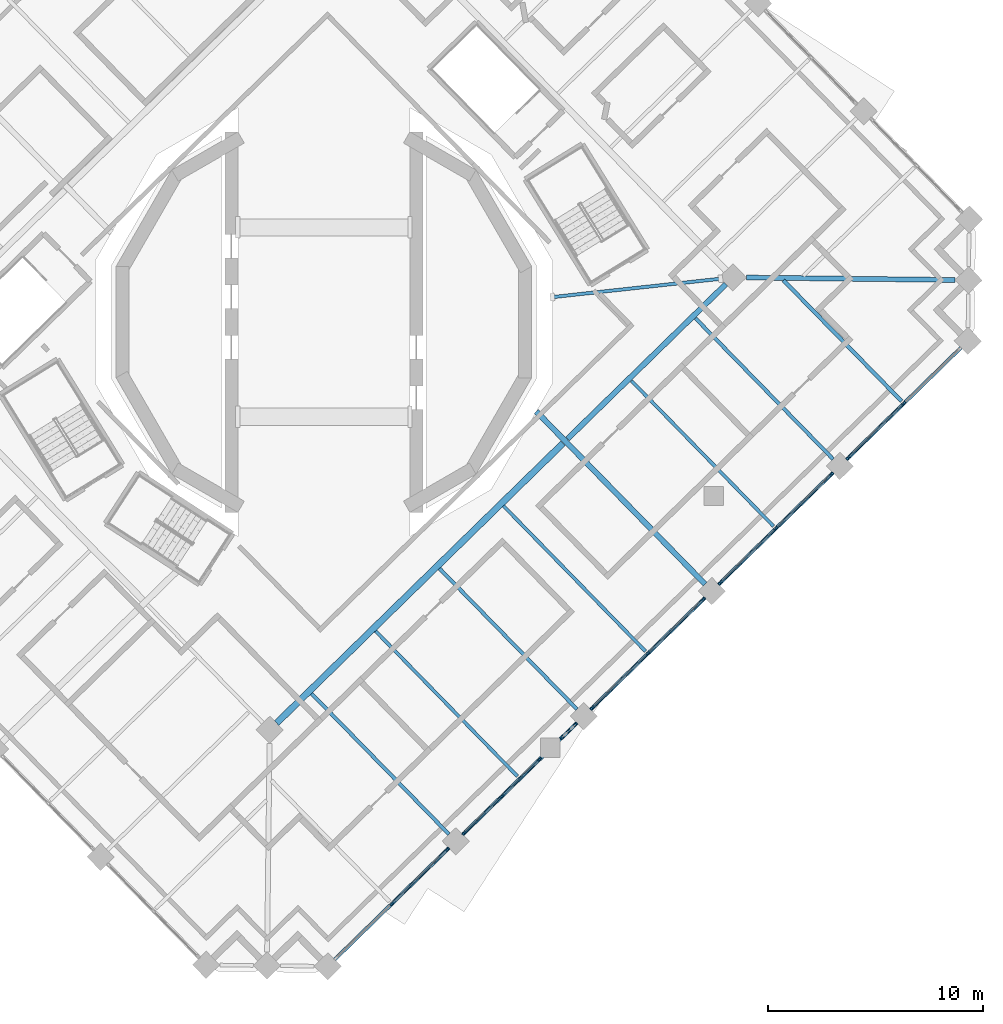
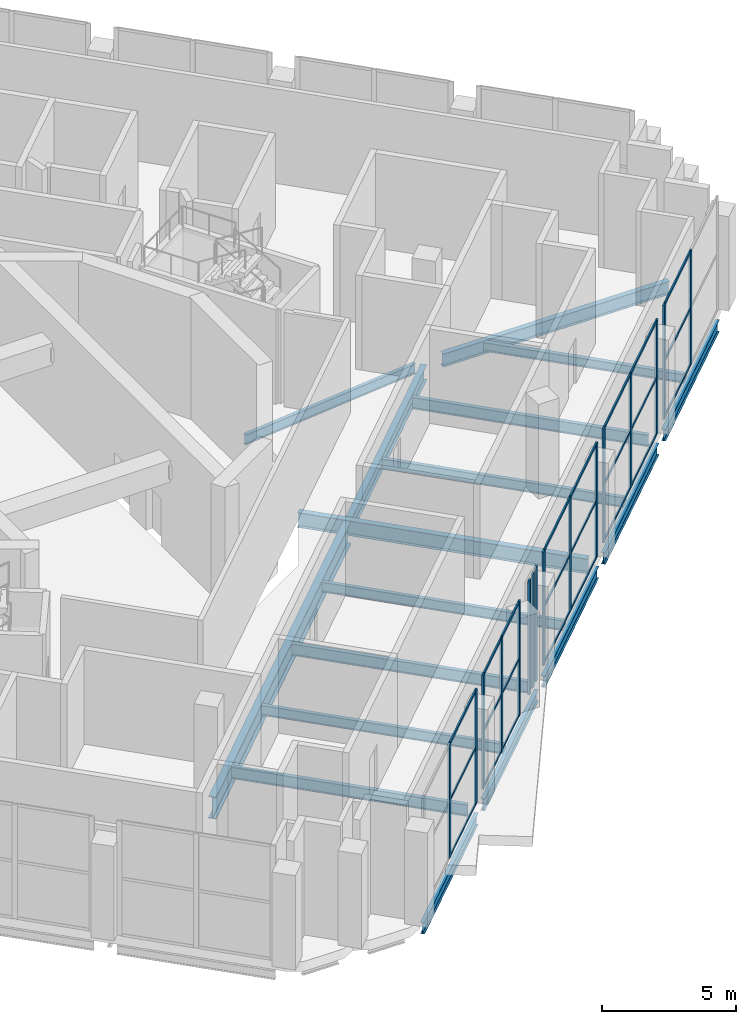
# One storey, part 4 of 20: 40 members, 17 beams, 6 elements without a shape of their own.
"""IFC4 building model written with IfcOpenShell, lengths in metres."""

from ifc_helpers import new_model, si_unit, direction, frame, origin, origin_2d, place, context, subcontext, project, spatial, rectangle, i_section, extrude, material, material_profile, profile_set, type_object, element, aggregate, save


model = new_model("IFC4")

# Units and contexts
model_context = context("Model", 3, precision=1e-05, world=origin(), true_north=direction((0.0, 1.0)))
body_context = subcontext(model_context, "Body", "Model", "MODEL_VIEW")
ifc_project = project(units=[si_unit("LENGTHUNIT", "METRE"), si_unit("AREAUNIT", "SQUARE_METRE"), si_unit("VOLUMEUNIT", "CUBIC_METRE"), si_unit("PLANEANGLEUNIT", "RADIAN"), si_unit("MASSUNIT", "GRAM", prefix="KILO")], contexts=[model_context])

# Site, building, storey
site_placement = place(None, origin())
site = spatial("IfcSite", under=ifc_project, at=site_placement, CompositionType="ELEMENT")
building_placement = place(site_placement, origin())
building = spatial("IfcBuilding", under=site, at=building_placement, Name="Cantera Rosa Tower", CompositionType="ELEMENT")
storey_placement = place(building_placement, frame((0.0, 0.0, 245.0)))
storey = spatial("IfcBuildingStorey", under=building, at=storey_placement, Name="L54", CompositionType="ELEMENT", Elevation=245.0)

# Curtain wall, members
ifc_material_1 = material(Name="Anodised aluminium louvre", Category="aluminium")
curtain_wall_type = type_object("IfcCurtainWallType", Name="CW3 REFUGE LOUVRE WALL", PredefinedType="NOTDEFINED", material=ifc_material_1)
curtain_wall_1_placement = place(storey_placement, origin())
curtain_wall_1 = element("IfcCurtainWall", 1, at=curtain_wall_1_placement, inside=storey, type_object=curtain_wall_type, Name="CW3 CW3", PredefinedType="NOTDEFINED")
ifc_material_2 = material(Name="Anodised bronze aluminium", Category="aluminium")
ifc_material_profile_1 = material_profile(ifc_material_2, rectangle(XDim=0.080078125, YDim=0.199951171875, at=origin_2d()), Name="CW-MULLION 80x200 REFUGE")
ifc_profile_set_1 = profile_set([ifc_material_profile_1], Name="Anodised bronze aluminium")
member_type_1 = type_object("IfcMemberType", Name="CW-MULLION 80x200 REFUGE", PredefinedType="MULLION", material=ifc_profile_set_1)
member_1_placement = place(storey_placement, frame((3.157470703125, -27.04296875, 0.0), z_axis=(0.0, 0.0, 1.0), x_axis=(-0.698831540301, 0.715286291131, 0.0)))
member_1 = element("IfcMember", 2, at=member_1_placement, type_object=member_type_1, Name="CW3 mullion 2", PredefinedType="MULLION", context=body_context, shape_type="SweptSolid", body=[
    extrude(rectangle(XDim=0.080078125, YDim=0.199951171875, at=origin_2d()), origin(), (0.0, 0.0, 1.0), 5.199951171875),
])
member_2_placement = place(storey_placement, frame((5.746826171875, -24.51318359375, 0.0), z_axis=(0.0, 0.0, 1.0), x_axis=(-0.698831540301, 0.715286291131, 0.0)))
member_2 = element("IfcMember", 3, at=member_2_placement, type_object=member_type_1, Name="CW3 mullion 3", PredefinedType="MULLION", context=body_context, shape_type="SweptSolid", body=[
    extrude(rectangle(XDim=0.080078125, YDim=0.199951171875, at=origin_2d()), origin(), (0.0, 0.0, 1.0), 5.199951171875),
])

curtain_wall_2_placement = place(storey_placement, origin())
curtain_wall_2 = element("IfcCurtainWall", 4, at=curtain_wall_2_placement, inside=storey, type_object=curtain_wall_type, Name="CW3 CW3", PredefinedType="NOTDEFINED")
member_3_placement = place(storey_placement, frame((6.519287109375, -23.758544921875, 0.0), z_axis=(0.0, 0.0, 1.0), x_axis=(-0.698831540376, 0.715286291058, 0.0)))
member_3 = element("IfcMember", 5, at=member_3_placement, type_object=member_type_1, Name="CW3 mullion 1", PredefinedType="MULLION", context=body_context, shape_type="SweptSolid", body=[
    extrude(rectangle(XDim=0.080078125, YDim=0.199951171875, at=origin_2d()), origin(), (0.0, 0.0, 1.0), 5.199951171875),
])
member_4_placement = place(storey_placement, frame((8.27392578125, -22.044189453125, 0.0), z_axis=(0.0, 0.0, 1.0), x_axis=(-0.698831540376, 0.715286291058, 0.0)))
member_4 = element("IfcMember", 6, at=member_4_placement, type_object=member_type_1, Name="CW3 mullion 2", PredefinedType="MULLION", context=body_context, shape_type="SweptSolid", body=[
    extrude(rectangle(XDim=0.080078125, YDim=0.199951171875, at=origin_2d()), origin(), (0.0, 0.0, 1.0), 5.199951171875),
])
member_5_placement = place(storey_placement, frame((10.028564453125, -20.330078125, 0.0), z_axis=(0.0, 0.0, 1.0), x_axis=(-0.698831540376, 0.715286291058, 0.0)))
member_5 = element("IfcMember", 7, at=member_5_placement, type_object=member_type_1, Name="CW3 mullion 3", PredefinedType="MULLION", context=body_context, shape_type="SweptSolid", body=[
    extrude(rectangle(XDim=0.080078125, YDim=0.199951171875, at=origin_2d()), origin(), (0.0, 0.0, 1.0), 5.199951171875),
])

curtain_wall_3_placement = place(storey_placement, origin())
curtain_wall_3 = element("IfcCurtainWall", 8, at=curtain_wall_3_placement, inside=storey, type_object=curtain_wall_type, Name="CW3 CW3", PredefinedType="NOTDEFINED")
member_6_placement = place(storey_placement, frame((11.067626953125, -19.314697265625, 0.0), z_axis=(0.0, 0.0, 1.0), x_axis=(-0.698831540489, 0.715286290948, 0.0)))
member_6 = element("IfcMember", 9, at=member_6_placement, type_object=member_type_1, Name="CW3 mullion 1", PredefinedType="MULLION", context=body_context, shape_type="SweptSolid", body=[
    extrude(rectangle(XDim=0.080078125, YDim=0.199951171875, at=origin_2d()), origin(), (0.0, 0.0, 1.0), 5.199951171875),
])
member_7_placement = place(storey_placement, frame((11.3828125, -19.0068359375, 0.0), z_axis=(0.0, 0.0, 1.0), x_axis=(-0.698831540489, 0.715286290948, 0.0)))
member_7 = element("IfcMember", 10, at=member_7_placement, type_object=member_type_1, Name="CW3 mullion 2", PredefinedType="MULLION", context=body_context, shape_type="SweptSolid", body=[
    extrude(rectangle(XDim=0.080078125, YDim=0.199951171875, at=origin_2d()), origin(), (0.0, 0.0, 1.0), 5.199951171875),
])
member_8_placement = place(storey_placement, frame((11.697998046875, -18.698974609375, 0.0), z_axis=(0.0, 0.0, 1.0), x_axis=(-0.698831540489, 0.715286290948, 0.0)))
member_8 = element("IfcMember", 11, at=member_8_placement, type_object=member_type_1, Name="CW3 mullion 3", PredefinedType="MULLION", context=body_context, shape_type="SweptSolid", body=[
    extrude(rectangle(XDim=0.080078125, YDim=0.199951171875, at=origin_2d()), origin(), (0.0, 0.0, 1.0), 5.199951171875),
])
aggregate(curtain_wall_3, [member_6, member_7, member_8])

curtain_wall_4_placement = place(storey_placement, origin())
curtain_wall_4 = element("IfcCurtainWall", 12, at=curtain_wall_4_placement, inside=storey, type_object=curtain_wall_type, Name="CW3 CW3", PredefinedType="NOTDEFINED")
member_9_placement = place(storey_placement, frame((12.470458984375, -17.944091796875, 0.0), z_axis=(0.0, 0.0, 1.0), x_axis=(-0.698831540376, 0.715286291058, 0.0)))
member_9 = element("IfcMember", 13, at=member_9_placement, type_object=member_type_1, Name="CW3 mullion 1", PredefinedType="MULLION", context=body_context, shape_type="SweptSolid", body=[
    extrude(rectangle(XDim=0.080078125, YDim=0.199951171875, at=origin_2d()), origin(), (0.0, 0.0, 1.0), 5.199951171875),
])
member_10_placement = place(storey_placement, frame((15.059814453125, -15.414306640625, 0.0), z_axis=(0.0, 0.0, 1.0), x_axis=(-0.698831540376, 0.715286291058, 0.0)))
member_10 = element("IfcMember", 14, at=member_10_placement, type_object=member_type_1, Name="CW3 mullion 2", PredefinedType="MULLION", context=body_context, shape_type="SweptSolid", body=[
    extrude(rectangle(XDim=0.080078125, YDim=0.199951171875, at=origin_2d()), origin(), (0.0, 0.0, 1.0), 5.199951171875),
])
member_11_placement = place(storey_placement, frame((17.649169921875, -12.884765625, 0.0), z_axis=(0.0, 0.0, 1.0), x_axis=(-0.698831540376, 0.715286291058, 0.0)))
member_11 = element("IfcMember", 15, at=member_11_placement, type_object=member_type_1, Name="CW3 mullion 3", PredefinedType="MULLION", context=body_context, shape_type="SweptSolid", body=[
    extrude(rectangle(XDim=0.080078125, YDim=0.199951171875, at=origin_2d()), origin(), (0.0, 0.0, 1.0), 5.199951171875),
])

curtain_wall_5_placement = place(storey_placement, origin())
curtain_wall_5 = element("IfcCurtainWall", 16, at=curtain_wall_5_placement, inside=storey, type_object=curtain_wall_type, Name="CW3 CW3", PredefinedType="NOTDEFINED")
member_12_placement = place(storey_placement, frame((18.421630859375, -12.1298828125, 0.0), z_axis=(0.0, 0.0, 1.0), x_axis=(-0.698831540301, 0.715286291131, 0.0)))
member_12 = element("IfcMember", 17, at=member_12_placement, type_object=member_type_1, Name="CW3 mullion 1", PredefinedType="MULLION", context=body_context, shape_type="SweptSolid", body=[
    extrude(rectangle(XDim=0.080078125, YDim=0.199951171875, at=origin_2d()), origin(), (0.0, 0.0, 1.0), 5.199951171875),
])
member_13_placement = place(storey_placement, frame((21.010986328125, -9.60009765625, 0.0), z_axis=(0.0, 0.0, 1.0), x_axis=(-0.698831540301, 0.715286291131, 0.0)))
member_13 = element("IfcMember", 18, at=member_13_placement, type_object=member_type_1, Name="CW3 mullion 2", PredefinedType="MULLION", context=body_context, shape_type="SweptSolid", body=[
    extrude(rectangle(XDim=0.080078125, YDim=0.199951171875, at=origin_2d()), origin(), (0.0, 0.0, 1.0), 5.199951171875),
])
member_14_placement = place(storey_placement, frame((23.600341796875, -7.0703125, 0.0), z_axis=(0.0, 0.0, 1.0), x_axis=(-0.698831540301, 0.715286291131, 0.0)))
member_14 = element("IfcMember", 19, at=member_14_placement, type_object=member_type_1, Name="CW3 mullion 3", PredefinedType="MULLION", context=body_context, shape_type="SweptSolid", body=[
    extrude(rectangle(XDim=0.080078125, YDim=0.199951171875, at=origin_2d()), origin(), (0.0, 0.0, 1.0), 5.199951171875),
])

curtain_wall_6_placement = place(storey_placement, origin())
curtain_wall_6 = element("IfcCurtainWall", 20, at=curtain_wall_6_placement, inside=storey, type_object=curtain_wall_type, Name="CW3 CW3", PredefinedType="NOTDEFINED")
member_15_placement = place(storey_placement, frame((24.372802734375, -6.315673828125, 0.0), z_axis=(0.0, 0.0, 1.0), x_axis=(-0.698831540439, 0.715286290997, 0.0)))
member_15 = element("IfcMember", 21, at=member_15_placement, type_object=member_type_1, Name="CW3 mullion 1", PredefinedType="MULLION", context=body_context, shape_type="SweptSolid", body=[
    extrude(rectangle(XDim=0.080078125, YDim=0.199951171875, at=origin_2d()), origin(), (0.0, 0.0, 1.0), 5.199951171875),
])
member_16_placement = place(storey_placement, frame((26.962158203125, -3.785888671875, 0.0), z_axis=(0.0, 0.0, 1.0), x_axis=(-0.698831540439, 0.715286290997, 0.0)))
member_16 = element("IfcMember", 22, at=member_16_placement, type_object=member_type_1, Name="CW3 mullion 2", PredefinedType="MULLION", context=body_context, shape_type="SweptSolid", body=[
    extrude(rectangle(XDim=0.080078125, YDim=0.199951171875, at=origin_2d()), origin(), (0.0, 0.0, 1.0), 5.199951171875),
])

# Member
ifc_material_3 = material(Name="Anodised bronze aluminium", Category="aluminium")
ifc_material_profile_2 = material_profile(ifc_material_3, rectangle(XDim=0.06005859375, YDim=0.1201171875, at=origin_2d()), Name="CW-TRANSOM 60x120 REFUGE")
ifc_profile_set_2 = profile_set([ifc_material_profile_2], Name="Anodised bronze aluminium")
member_type_2 = type_object("IfcMemberType", Name="CW-TRANSOM 60x120 REFUGE", PredefinedType="USERDEFINED", material=ifc_profile_set_2)
member_17_placement = place(storey_placement, frame((3.18603515625, -27.01513671875, 0.030029296875), z_axis=(0.715300014303, 0.698817493727, 0.0), x_axis=(-0.698817493727, 0.715300014303, 0.0)))
member_17 = element("IfcMember", 23, at=member_17_placement, type_object=member_type_2, Name="CW3 transom 2.1", ObjectType="TRANSOM", PredefinedType="USERDEFINED", context=body_context, shape_type="SweptSolid", body=[
    extrude(rectangle(XDim=0.06005859375, YDim=0.1201171875, at=origin_2d()), origin(), (0.0, 0.0, 1.0), 3.5400390625),
])

member_18_placement = place(storey_placement, frame((3.18603515625, -27.01513671875, 2.60009765625), z_axis=(0.715300014303, 0.698817493727, 0.0), x_axis=(-0.698817493727, 0.715300014303, 0.0)))
member_18 = element("IfcMember", 24, at=member_18_placement, type_object=member_type_2, Name="CW3 transom 2.2", ObjectType="TRANSOM", PredefinedType="USERDEFINED", context=body_context, shape_type="SweptSolid", body=[
    extrude(rectangle(XDim=0.06005859375, YDim=0.1201171875, at=origin_2d()), origin(), (0.0, 0.0, 1.0), 3.5400390625),
])

member_19_placement = place(storey_placement, frame((3.18603515625, -27.01513671875, 5.169921875), z_axis=(0.715300014303, 0.698817493727, 0.0), x_axis=(-0.698817493727, 0.715300014303, 0.0)))
member_19 = element("IfcMember", 25, at=member_19_placement, type_object=member_type_2, Name="CW3 transom 2.3", ObjectType="TRANSOM", PredefinedType="USERDEFINED", context=body_context, shape_type="SweptSolid", body=[
    extrude(rectangle(XDim=0.06005859375, YDim=0.1201171875, at=origin_2d()), origin(), (0.0, 0.0, 1.0), 3.5400390625),
])

aggregate(curtain_wall_1, [member_1, member_2, member_17, member_18, member_19])

member_20_placement = place(storey_placement, frame((6.5478515625, -23.73046875, 0.030029296875), z_axis=(0.715340299038, 0.698776256446, 0.0), x_axis=(-0.698776256446, 0.715340299038, 0.0)))
member_20 = element("IfcMember", 26, at=member_20_placement, type_object=member_type_2, Name="CW3 transom 1.1", ObjectType="TRANSOM", PredefinedType="USERDEFINED", context=body_context, shape_type="SweptSolid", body=[
    extrude(rectangle(XDim=0.06005859375, YDim=0.1201171875, at=origin_2d()), origin(), (0.0, 0.0, 1.0), 2.373046875),
])

member_21_placement = place(storey_placement, frame((6.5478515625, -23.73046875, 2.60009765625), z_axis=(0.715340299038, 0.698776256446, 0.0), x_axis=(-0.698776256446, 0.715340299038, 0.0)))
member_21 = element("IfcMember", 27, at=member_21_placement, type_object=member_type_2, Name="CW3 transom 1.2", ObjectType="TRANSOM", PredefinedType="USERDEFINED", context=body_context, shape_type="SweptSolid", body=[
    extrude(rectangle(XDim=0.06005859375, YDim=0.1201171875, at=origin_2d()), origin(), (0.0, 0.0, 1.0), 2.373046875),
])

member_22_placement = place(storey_placement, frame((6.5478515625, -23.73046875, 5.169921875), z_axis=(0.715340299038, 0.698776256446, 0.0), x_axis=(-0.698776256446, 0.715340299038, 0.0)))
member_22 = element("IfcMember", 28, at=member_22_placement, type_object=member_type_2, Name="CW3 transom 1.3", ObjectType="TRANSOM", PredefinedType="USERDEFINED", context=body_context, shape_type="SweptSolid", body=[
    extrude(rectangle(XDim=0.06005859375, YDim=0.1201171875, at=origin_2d()), origin(), (0.0, 0.0, 1.0), 2.373046875),
])

member_23_placement = place(storey_placement, frame((8.302490234375, -22.016357421875, 0.030029296875), z_axis=(0.715288873786, 0.698828896825, 0.0), x_axis=(-0.698828896825, 0.715288873786, 0.0)))
member_23 = element("IfcMember", 29, at=member_23_placement, type_object=member_type_2, Name="CW3 transom 2.1", ObjectType="TRANSOM", PredefinedType="USERDEFINED", context=body_context, shape_type="SweptSolid", body=[
    extrude(rectangle(XDim=0.06005859375, YDim=0.1201171875, at=origin_2d()), origin(), (0.0, 0.0, 1.0), 2.373291015625),
])

member_24_placement = place(storey_placement, frame((8.302490234375, -22.016357421875, 2.60009765625), z_axis=(0.715288873786, 0.698828896825, 0.0), x_axis=(-0.698828896825, 0.715288873786, 0.0)))
member_24 = element("IfcMember", 30, at=member_24_placement, type_object=member_type_2, Name="CW3 transom 2.2", ObjectType="TRANSOM", PredefinedType="USERDEFINED", context=body_context, shape_type="SweptSolid", body=[
    extrude(rectangle(XDim=0.06005859375, YDim=0.1201171875, at=origin_2d()), origin(), (0.0, 0.0, 1.0), 2.373291015625),
])

member_25_placement = place(storey_placement, frame((8.302490234375, -22.016357421875, 5.169921875), z_axis=(0.715288873786, 0.698828896825, 0.0), x_axis=(-0.698828896825, 0.715288873786, 0.0)))
member_25 = element("IfcMember", 31, at=member_25_placement, type_object=member_type_2, Name="CW3 transom 2.3", ObjectType="TRANSOM", PredefinedType="USERDEFINED", context=body_context, shape_type="SweptSolid", body=[
    extrude(rectangle(XDim=0.06005859375, YDim=0.1201171875, at=origin_2d()), origin(), (0.0, 0.0, 1.0), 2.373291015625),
])

aggregate(curtain_wall_2, [member_3, member_4, member_5, member_20, member_21, member_22, member_23, member_24, member_25])

member_26_placement = place(storey_placement, frame((12.4990234375, -17.916259765625, 0.030029296875), z_axis=(0.715300014303, 0.698817493727, 0.0), x_axis=(-0.698817493727, 0.715300014303, 0.0)))
member_26 = element("IfcMember", 32, at=member_26_placement, type_object=member_type_2, Name="CW3 transom 1.1", ObjectType="TRANSOM", PredefinedType="USERDEFINED", context=body_context, shape_type="SweptSolid", body=[
    extrude(rectangle(XDim=0.06005859375, YDim=0.1201171875, at=origin_2d()), origin(), (0.0, 0.0, 1.0), 3.5400390625),
])

member_27_placement = place(storey_placement, frame((12.4990234375, -17.916259765625, 2.60009765625), z_axis=(0.715300014303, 0.698817493727, 0.0), x_axis=(-0.698817493727, 0.715300014303, 0.0)))
member_27 = element("IfcMember", 33, at=member_27_placement, type_object=member_type_2, Name="CW3 transom 1.2", ObjectType="TRANSOM", PredefinedType="USERDEFINED", context=body_context, shape_type="SweptSolid", body=[
    extrude(rectangle(XDim=0.06005859375, YDim=0.1201171875, at=origin_2d()), origin(), (0.0, 0.0, 1.0), 3.5400390625),
])

member_28_placement = place(storey_placement, frame((12.4990234375, -17.916259765625, 5.169921875), z_axis=(0.715300014303, 0.698817493727, 0.0), x_axis=(-0.698817493727, 0.715300014303, 0.0)))
member_28 = element("IfcMember", 34, at=member_28_placement, type_object=member_type_2, Name="CW3 transom 1.3", ObjectType="TRANSOM", PredefinedType="USERDEFINED", context=body_context, shape_type="SweptSolid", body=[
    extrude(rectangle(XDim=0.06005859375, YDim=0.1201171875, at=origin_2d()), origin(), (0.0, 0.0, 1.0), 3.5400390625),
])

member_29_placement = place(storey_placement, frame((15.08837890625, -15.386474609375, 0.030029296875), z_axis=(0.715300014303, 0.698817493727, 0.0), x_axis=(-0.698817493727, 0.715300014303, 0.0)))
member_29 = element("IfcMember", 35, at=member_29_placement, type_object=member_type_2, Name="CW3 transom 2.1", ObjectType="TRANSOM", PredefinedType="USERDEFINED", context=body_context, shape_type="SweptSolid", body=[
    extrude(rectangle(XDim=0.06005859375, YDim=0.1201171875, at=origin_2d()), origin(), (0.0, 0.0, 1.0), 3.5400390625),
])

member_30_placement = place(storey_placement, frame((15.08837890625, -15.386474609375, 2.60009765625), z_axis=(0.715300014303, 0.698817493727, 0.0), x_axis=(-0.698817493727, 0.715300014303, 0.0)))
member_30 = element("IfcMember", 36, at=member_30_placement, type_object=member_type_2, Name="CW3 transom 2.2", ObjectType="TRANSOM", PredefinedType="USERDEFINED", context=body_context, shape_type="SweptSolid", body=[
    extrude(rectangle(XDim=0.06005859375, YDim=0.1201171875, at=origin_2d()), origin(), (0.0, 0.0, 1.0), 3.5400390625),
])

member_31_placement = place(storey_placement, frame((15.08837890625, -15.386474609375, 5.169921875), z_axis=(0.715300014303, 0.698817493727, 0.0), x_axis=(-0.698817493727, 0.715300014303, 0.0)))
member_31 = element("IfcMember", 37, at=member_31_placement, type_object=member_type_2, Name="CW3 transom 2.3", ObjectType="TRANSOM", PredefinedType="USERDEFINED", context=body_context, shape_type="SweptSolid", body=[
    extrude(rectangle(XDim=0.06005859375, YDim=0.1201171875, at=origin_2d()), origin(), (0.0, 0.0, 1.0), 3.5400390625),
])

aggregate(curtain_wall_4, [member_9, member_10, member_11, member_26, member_27, member_28, member_29, member_30, member_31])

member_32_placement = place(storey_placement, frame((18.4501953125, -12.10205078125, 0.030029296875), z_axis=(0.715300014303, 0.698817493727, 0.0), x_axis=(-0.698817493727, 0.715300014303, 0.0)))
member_32 = element("IfcMember", 38, at=member_32_placement, type_object=member_type_2, Name="CW3 transom 1.1", ObjectType="TRANSOM", PredefinedType="USERDEFINED", context=body_context, shape_type="SweptSolid", body=[
    extrude(rectangle(XDim=0.06005859375, YDim=0.1201171875, at=origin_2d()), origin(), (0.0, 0.0, 1.0), 3.5400390625),
])

member_33_placement = place(storey_placement, frame((18.4501953125, -12.10205078125, 2.60009765625), z_axis=(0.715300014303, 0.698817493727, 0.0), x_axis=(-0.698817493727, 0.715300014303, 0.0)))
member_33 = element("IfcMember", 39, at=member_33_placement, type_object=member_type_2, Name="CW3 transom 1.2", ObjectType="TRANSOM", PredefinedType="USERDEFINED", context=body_context, shape_type="SweptSolid", body=[
    extrude(rectangle(XDim=0.06005859375, YDim=0.1201171875, at=origin_2d()), origin(), (0.0, 0.0, 1.0), 3.5400390625),
])

member_34_placement = place(storey_placement, frame((18.4501953125, -12.10205078125, 5.169921875), z_axis=(0.715300014303, 0.698817493727, 0.0), x_axis=(-0.698817493727, 0.715300014303, 0.0)))
member_34 = element("IfcMember", 40, at=member_34_placement, type_object=member_type_2, Name="CW3 transom 1.3", ObjectType="TRANSOM", PredefinedType="USERDEFINED", context=body_context, shape_type="SweptSolid", body=[
    extrude(rectangle(XDim=0.06005859375, YDim=0.1201171875, at=origin_2d()), origin(), (0.0, 0.0, 1.0), 3.5400390625),
])

member_35_placement = place(storey_placement, frame((21.03955078125, -9.572265625, 0.030029296875), z_axis=(0.715300014303, 0.698817493727, 0.0), x_axis=(-0.698817493727, 0.715300014303, 0.0)))
member_35 = element("IfcMember", 41, at=member_35_placement, type_object=member_type_2, Name="CW3 transom 2.1", ObjectType="TRANSOM", PredefinedType="USERDEFINED", context=body_context, shape_type="SweptSolid", body=[
    extrude(rectangle(XDim=0.06005859375, YDim=0.1201171875, at=origin_2d()), origin(), (0.0, 0.0, 1.0), 3.5400390625),
])

member_36_placement = place(storey_placement, frame((21.03955078125, -9.572265625, 2.60009765625), z_axis=(0.715300014303, 0.698817493727, 0.0), x_axis=(-0.698817493727, 0.715300014303, 0.0)))
member_36 = element("IfcMember", 42, at=member_36_placement, type_object=member_type_2, Name="CW3 transom 2.2", ObjectType="TRANSOM", PredefinedType="USERDEFINED", context=body_context, shape_type="SweptSolid", body=[
    extrude(rectangle(XDim=0.06005859375, YDim=0.1201171875, at=origin_2d()), origin(), (0.0, 0.0, 1.0), 3.5400390625),
])

member_37_placement = place(storey_placement, frame((21.03955078125, -9.572265625, 5.169921875), z_axis=(0.715300014303, 0.698817493727, 0.0), x_axis=(-0.698817493727, 0.715300014303, 0.0)))
member_37 = element("IfcMember", 43, at=member_37_placement, type_object=member_type_2, Name="CW3 transom 2.3", ObjectType="TRANSOM", PredefinedType="USERDEFINED", context=body_context, shape_type="SweptSolid", body=[
    extrude(rectangle(XDim=0.06005859375, YDim=0.1201171875, at=origin_2d()), origin(), (0.0, 0.0, 1.0), 3.5400390625),
])

aggregate(curtain_wall_5, [member_12, member_13, member_14, member_32, member_33, member_34, member_35, member_36, member_37])

member_38_placement = place(storey_placement, frame((24.4013671875, -6.28759765625, 0.030029296875), z_axis=(0.715300014303, 0.698817493727, 0.0), x_axis=(-0.698817493727, 0.715300014303, 0.0)))
member_38 = element("IfcMember", 44, at=member_38_placement, type_object=member_type_2, Name="CW3 transom 1.1", ObjectType="TRANSOM", PredefinedType="USERDEFINED", context=body_context, shape_type="SweptSolid", body=[
    extrude(rectangle(XDim=0.06005859375, YDim=0.1201171875, at=origin_2d()), origin(), (0.0, 0.0, 1.0), 3.5400390625),
])

member_39_placement = place(storey_placement, frame((24.4013671875, -6.28759765625, 2.60009765625), z_axis=(0.715300014303, 0.698817493727, 0.0), x_axis=(-0.698817493727, 0.715300014303, 0.0)))
member_39 = element("IfcMember", 45, at=member_39_placement, type_object=member_type_2, Name="CW3 transom 1.2", ObjectType="TRANSOM", PredefinedType="USERDEFINED", context=body_context, shape_type="SweptSolid", body=[
    extrude(rectangle(XDim=0.06005859375, YDim=0.1201171875, at=origin_2d()), origin(), (0.0, 0.0, 1.0), 3.5400390625),
])

member_40_placement = place(storey_placement, frame((24.4013671875, -6.28759765625, 5.169921875), z_axis=(0.715300014303, 0.698817493727, 0.0), x_axis=(-0.698817493727, 0.715300014303, 0.0)))
member_40 = element("IfcMember", 46, at=member_40_placement, type_object=member_type_2, Name="CW3 transom 1.3", ObjectType="TRANSOM", PredefinedType="USERDEFINED", context=body_context, shape_type="SweptSolid", body=[
    extrude(rectangle(XDim=0.06005859375, YDim=0.1201171875, at=origin_2d()), origin(), (0.0, 0.0, 1.0), 3.5400390625),
])

aggregate(curtain_wall_6, [member_15, member_16, member_38, member_39, member_40])

# Beams
ifc_material_4 = material(Name="Steel ASTM A992 (Fy 345 MPa)", Category="steel")
ifc_material_profile_3 = material_profile(ifc_material_4, i_section(OverallWidth=0.302001953125, OverallDepth=1.010009765625, WebThickness=0.02099609375, FlangeThickness=0.0400390625, FilletRadius=0.030029296875, at=origin_2d()), Name="W1000X350")
ifc_profile_set_3 = profile_set([ifc_material_profile_3], Name="Steel ASTM A992 (Fy 345 MPa)")
beam_type_1 = type_object("IfcBeamType", Name="STEEL BEAM W1000X350", PredefinedType="BEAM", material=ifc_profile_set_3)
beam_1_placement = place(storey_placement, frame((-2.197021484375, -18.643310546875, -0.955078125), z_axis=(0.715290925107, 0.698826797182, 0.0), x_axis=(-0.698826797182, 0.715290925107, 0.0)))
element("IfcBeam", 47, at=beam_1_placement, inside=storey, type_object=beam_type_1, Name="RB-Z4-03 L54", PredefinedType="BEAM", context=body_context, shape_type="SweptSolid", body=[
    extrude(i_section(OverallWidth=0.302001953125, OverallDepth=1.010009765625, WebThickness=0.02099609375, FlangeThickness=0.0400390625, FilletRadius=0.030029296875, at=origin_2d()), origin(), (0.0, 0.0, 1.0), 18.60986328125),
])
ifc_material_5 = material(Name="Steel ASTM A992 (Fy 345 MPa)", Category="steel")
ifc_material_profile_4 = material_profile(ifc_material_5, i_section(OverallWidth=0.154052734375, OverallDepth=0.4599609375, WebThickness=0.009033203125, FlangeThickness=0.015380859375, FilletRadius=0.01025390625, at=origin_2d()), Name="W460X68")
ifc_profile_set_4 = profile_set([ifc_material_profile_4], Name="Steel ASTM A992 (Fy 345 MPa)")
beam_type_2 = type_object("IfcBeamType", Name="STEEL BEAM W460X68", PredefinedType="BEAM", material=ifc_profile_set_4)
beam_2_placement = place(storey_placement, frame((18.44287109375, 2.014892578125, -0.679931640625), z_axis=(-0.994086100692, -0.108594771563, 0.0), x_axis=(0.108594771563, -0.994086100692, 0.0)))
element("IfcBeam", 48, at=beam_2_placement, inside=storey, type_object=beam_type_2, Name="PG-Z4-01 L54", PredefinedType="BEAM", context=body_context, shape_type="SweptSolid", body=[
    extrude(i_section(OverallWidth=0.154052734375, OverallDepth=0.4599609375, WebThickness=0.009033203125, FlangeThickness=0.015380859375, FilletRadius=0.01025390625, at=origin_2d()), origin(), (0.0, 0.0, 1.0), 7.864013671875),
])
ifc_material_6 = material(Name="Steel ASTM A992 (Fy 345 MPa)", Category="steel")
ifc_material_profile_5 = material_profile(ifc_material_6, i_section(OverallWidth=0.166015625, OverallDepth=0.528076171875, WebThickness=0.009765625, FlangeThickness=0.013671875, FilletRadius=0.0126953125, at=origin_2d()), Name="W530X74")
ifc_profile_set_5 = profile_set([ifc_material_profile_5], Name="Steel ASTM A992 (Fy 345 MPa)")
beam_type_3 = type_object("IfcBeamType", Name="STEEL BEAM W530X74", PredefinedType="BEAM", material=ifc_profile_set_5)
for number, where, z_axis, x_axis, name in (
    (49, (5.818603515625, -23.81396484375, -0.714111328125), (-0.698827481213, 0.71529025682, 0.0), (-0.71529025682, -0.698827481213, 0.0), "G-Z4-09 L54"),
    (50, (11.769775390625, -17.999755859375, -0.714111328125), (-0.698827481213, 0.71529025682, 0.0), (-0.71529025682, -0.698827481213, 0.0), "G-Z4-10 L54"),
    (51, (23.672119140625, -6.37109375, -0.714111328125), (-0.698827481213, 0.71529025682, 0.0), (-0.71529025682, -0.698827481213, 0.0), "G-Z4-12 L54"),
):
    element("IfcBeam", number, at=place(storey_placement, frame(where, z_axis=z_axis, x_axis=x_axis)), inside=storey, type_object=beam_type_3, Name=name, PredefinedType="BEAM", context=body_context, shape_type="SweptSolid", body=[
        extrude(i_section(OverallWidth=0.166015625, OverallDepth=0.528076171875, WebThickness=0.009765625, FlangeThickness=0.013671875, FilletRadius=0.0126953125, at=origin_2d()), origin(), (0.0, 0.0, 1.0), 9.14990234375),
    ])
ifc_material_7 = material(Name="Steel ASTM A992 (Fy 345 MPa)", Category="steel")
ifc_material_profile_6 = material_profile(ifc_material_7, i_section(OverallWidth=0.22802734375, OverallDepth=0.60205078125, WebThickness=0.010498046875, FlangeThickness=0.014892578125, FilletRadius=0.0126953125, at=origin_2d()), Name="W610X101")
ifc_profile_set_6 = profile_set([ifc_material_profile_6], Name="Steel ASTM A992 (Fy 345 MPa)")
beam_type_4 = type_object("IfcBeamType", Name="STEEL BEAM W610X101", PredefinedType="BEAM", material=ifc_profile_set_6)
beam_3_placement = place(storey_placement, frame((29.334228515625, 1.95703125, -0.7509765625), z_axis=(-0.999932504919, 0.011618330597, 0.0), x_axis=(-0.011618330597, -0.999932504919, 0.0)))
element("IfcBeam", 52, at=beam_3_placement, inside=storey, type_object=beam_type_4, Name="CB-Z4-04 L54", PredefinedType="BEAM", context=body_context, shape_type="SweptSolid", body=[
    extrude(i_section(OverallWidth=0.22802734375, OverallDepth=0.60205078125, WebThickness=0.010498046875, FlangeThickness=0.014892578125, FilletRadius=0.0126953125, at=origin_2d()), origin(), (0.0, 0.0, 1.0), 9.687255859375),
])
ifc_material_8 = material(Name="Steel ASTM A992 (Fy 345 MPa)", Category="steel")
ifc_material_profile_7 = material_profile(ifc_material_8, i_section(OverallWidth=0.25390625, OverallDepth=0.677978515625, WebThickness=0.01171875, FlangeThickness=0.016357421875, FilletRadius=0.01513671875, at=origin_2d()), Name="W690X125")
ifc_profile_set_7 = profile_set([ifc_material_profile_7], Name="Steel ASTM A992 (Fy 345 MPa)")
beam_type_5 = type_object("IfcBeamType", Name="STEEL BEAM W690X125", PredefinedType="BEAM", material=ifc_profile_set_7)
beam_4_placement = place(storey_placement, frame((17.720947265625, -12.185302734375, -0.7890625), z_axis=(-0.698831358516, 0.715286468734, 0.0), x_axis=(-0.715286468734, -0.698831358516, 0.0)))
element("IfcBeam", 53, at=beam_4_placement, inside=storey, type_object=beam_type_5, Name="G-Z4-11 L54", PredefinedType="BEAM", context=body_context, shape_type="SweptSolid", body=[
    extrude(i_section(OverallWidth=0.25390625, OverallDepth=0.677978515625, WebThickness=0.01171875, FlangeThickness=0.016357421875, FilletRadius=0.01513671875, at=origin_2d()), origin(), (0.0, 0.0, 1.0), 11.2314453125),
])
beam_5_placement = place(storey_placement, frame((11.3291015625, -5.428466796875, -0.7890625), z_axis=(0.715291776896, 0.698825925324, 0.0), x_axis=(-0.698825925324, 0.715291776896, 0.0)))
element("IfcBeam", 54, at=beam_5_placement, inside=storey, type_object=beam_type_5, Name="RB-Z4-04 L54", PredefinedType="BEAM", context=body_context, shape_type="SweptSolid", body=[
    extrude(i_section(OverallWidth=0.25390625, OverallDepth=0.677978515625, WebThickness=0.01171875, FlangeThickness=0.016357421875, FilletRadius=0.01513671875, at=origin_2d()), origin(), (0.0, 0.0, 1.0), 10.2900390625),
])
ifc_material_9 = material(Name="Steel ASTM A992 (Fy 345 MPa)", Category="steel")
ifc_material_profile_8 = material_profile(ifc_material_9, i_section(OverallWidth=0.177978515625, OverallDepth=0.406005859375, WebThickness=0.0078125, FlangeThickness=0.0126953125, FilletRadius=0.01025390625, at=origin_2d()), Name="W410X60")
ifc_profile_set_8 = profile_set([ifc_material_profile_8], Name="Steel ASTM A992 (Fy 345 MPa)")
beam_type_6 = type_object("IfcBeamType", Name="STEEL JOIST W410X60", PredefinedType="JOIST", material=ifc_profile_set_8)
beam_6_placement = place(storey_placement, frame((26.857421875, -3.678466796875, -0.653076171875), z_axis=(-0.698843394481, 0.715274709458, 0.0), x_axis=(-0.715274709458, -0.698843394481, 0.0)))
element("IfcBeam", 55, at=beam_6_placement, inside=storey, type_object=beam_type_6, Name="B-Z4-15 L54", PredefinedType="JOIST", context=body_context, shape_type="SweptSolid", body=[
    extrude(i_section(OverallWidth=0.177978515625, OverallDepth=0.406005859375, WebThickness=0.0078125, FlangeThickness=0.0126953125, FilletRadius=0.01025390625, at=origin_2d()), origin(), (0.0, 0.0, 1.0), 7.860107421875),
])
ifc_material_10 = material(Name="Steel ASTM A992 (Fy 345 MPa)", Category="steel")
ifc_material_profile_9 = material_profile(ifc_material_10, i_section(OverallWidth=0.154052734375, OverallDepth=0.4599609375, WebThickness=0.009033203125, FlangeThickness=0.015380859375, FilletRadius=0.01025390625, at=origin_2d()), Name="W460X68")
ifc_profile_set_9 = profile_set([ifc_material_profile_9], Name="Steel ASTM A992 (Fy 345 MPa)")
beam_type_7 = type_object("IfcBeamType", Name="STEEL JOIST W460X68", PredefinedType="JOIST", material=ifc_profile_set_9)
beam_7_placement = place(storey_placement, frame((9.00390625, -21.121337890625, -0.679931640625), z_axis=(-0.698843443844, 0.715274661229, 0.0), x_axis=(-0.715274661229, -0.698843443844, 0.0)))
element("IfcBeam", 56, at=beam_7_placement, inside=storey, type_object=beam_type_7, Name="B-Z4-12 L54", PredefinedType="JOIST", context=body_context, shape_type="SweptSolid", body=[
    extrude(i_section(OverallWidth=0.154052734375, OverallDepth=0.4599609375, WebThickness=0.009033203125, FlangeThickness=0.015380859375, FilletRadius=0.01025390625, at=origin_2d()), origin(), (0.0, 0.0, 1.0), 9.449951171875),
])
for number, where, z_axis, x_axis, name in (
    (57, (14.955078125, -15.30712890625, -0.679931640625), (-0.698830529832, 0.715287278354, 0.0), (-0.715287278354, -0.698830529832, 0.0), "B-Z4-13 L54"),
    (58, (20.90625, -9.492919921875, -0.679931640625), (-0.698830529832, 0.715287278354, 0.0), (-0.715287278354, -0.698830529832, 0.0), "B-Z4-14 L54"),
):
    element("IfcBeam", number, at=place(storey_placement, frame(where, z_axis=z_axis, x_axis=x_axis)), inside=storey, type_object=beam_type_7, Name=name, PredefinedType="JOIST", context=body_context, shape_type="SweptSolid", body=[
        extrude(i_section(OverallWidth=0.154052734375, OverallDepth=0.4599609375, WebThickness=0.009033203125, FlangeThickness=0.015380859375, FilletRadius=0.01025390625, at=origin_2d()), origin(), (0.0, 0.0, 1.0), 9.4501953125),
    ])
ifc_material_11 = material(Name="Steel ASTM A992 (Fy 345 MPa)", Category="steel")
ifc_material_profile_10 = material_profile(ifc_material_11, i_section(OverallWidth=0.166015625, OverallDepth=0.528076171875, WebThickness=0.009765625, FlangeThickness=0.013671875, FilletRadius=0.0126953125, at=origin_2d()), Name="W530X74")
ifc_profile_set_10 = profile_set([ifc_material_profile_10], Name="Steel ASTM A992 (Fy 345 MPa)")
beam_type_8 = type_object("IfcBeamType", Name="STEEL SPANDREL BEAM W530X74", PredefinedType="SPANDREL", material=ifc_profile_set_10)
beam_8_placement = place(storey_placement, frame((0.503662109375, -29.6357421875, -0.714111328125), z_axis=(0.715284379566, 0.698833496871, 0.0), x_axis=(-0.698833496871, 0.715284379566, 0.0)))
element("IfcBeam", 59, at=beam_8_placement, inside=storey, type_object=beam_type_8, Name="EB-Z4-22 L54", PredefinedType="SPANDREL", context=body_context, shape_type="SweptSolid", body=[
    extrude(i_section(OverallWidth=0.166015625, OverallDepth=0.528076171875, WebThickness=0.009765625, FlangeThickness=0.013671875, FilletRadius=0.0126953125, at=origin_2d()), origin(), (0.0, 0.0, 1.0), 7.42041015625),
])
for number, where, z_axis, x_axis, name in (
    (60, (6.454833984375, -23.8212890625, -0.714111328125), (0.715300826176, 0.698816662703, 0.0), (-0.698816662703, 0.715300826176, 0.0), "EB-Z4-23 L54"),
    (61, (12.406005859375, -18.007080078125, -0.714111328125), (0.715300826176, 0.698816662703, 0.0), (-0.698816662703, 0.715300826176, 0.0), "EB-Z4-24 L54"),
    (62, (18.357177734375, -12.19287109375, -0.714111328125), (0.715300826176, 0.698816662703, 0.0), (-0.698816662703, 0.715300826176, 0.0), "EB-Z4-25 L54"),
    (63, (24.308349609375, -6.37841796875, -0.714111328125), (0.715300826176, 0.698816662703, 0.0), (-0.698816662703, 0.715300826176, 0.0), "EB-Z4-26 L54"),
):
    element("IfcBeam", number, at=place(storey_placement, frame(where, z_axis=z_axis, x_axis=x_axis)), inside=storey, type_object=beam_type_8, Name=name, PredefinedType="SPANDREL", context=body_context, shape_type="SweptSolid", body=[
        extrude(i_section(OverallWidth=0.166015625, OverallDepth=0.528076171875, WebThickness=0.009765625, FlangeThickness=0.013671875, FilletRadius=0.0126953125, at=origin_2d()), origin(), (0.0, 0.0, 1.0), 7.420166015625),
    ])

save(model, "model.ifc")
